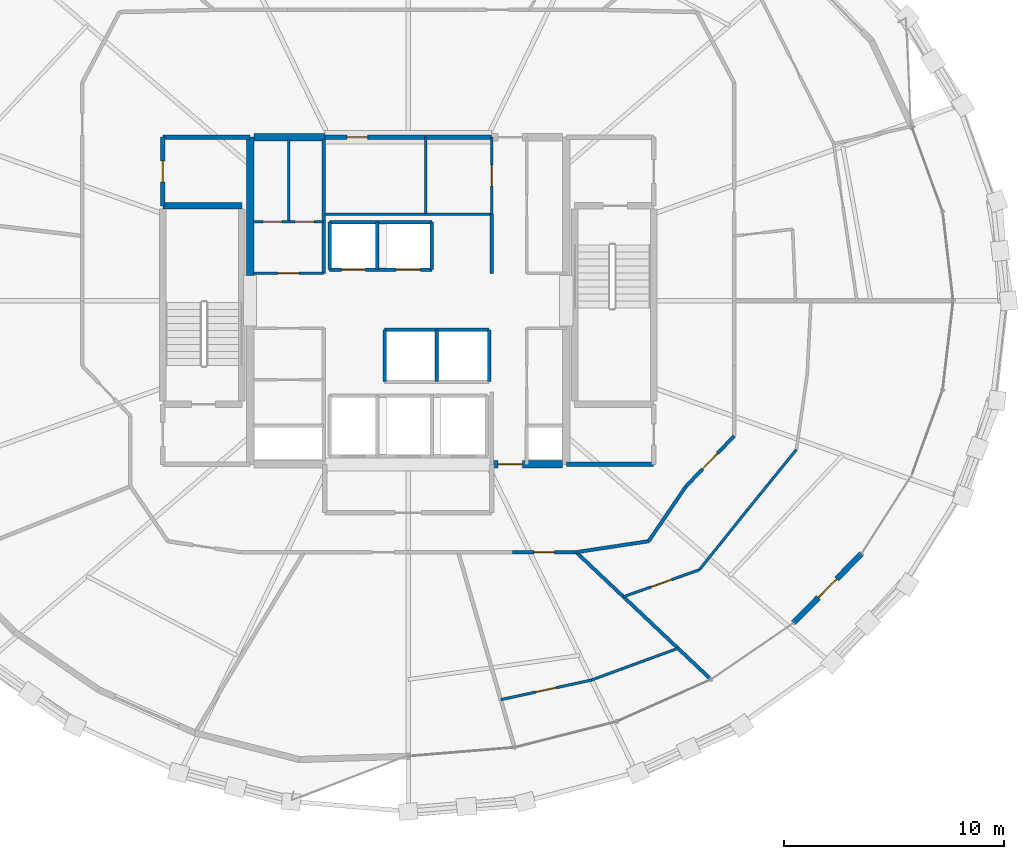
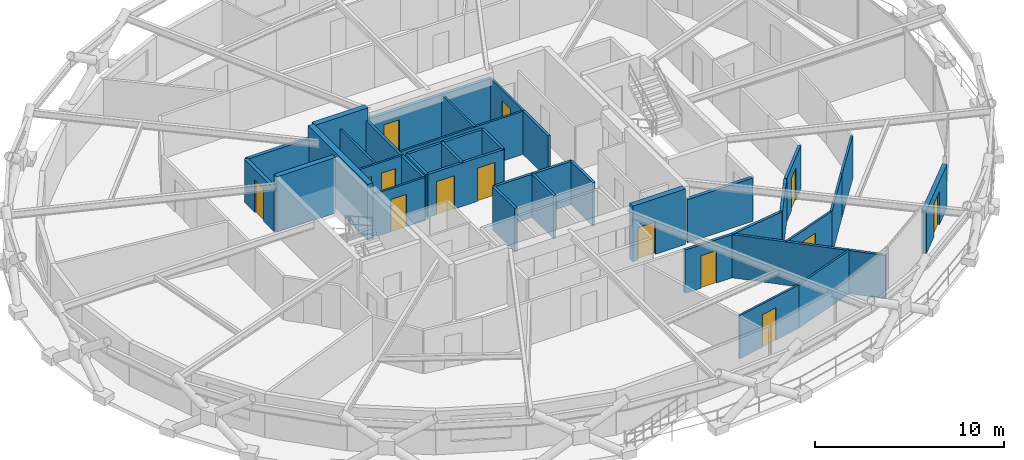
# One storey, part 13 of 16: 36 walls, 14 doors, 14 openings.
"""IFC4 building model written with IfcOpenShell, lengths in metres."""

import ifcopenshell
import ifcopenshell.guid

model = None  # the IFC model being written
_history = None  # IfcOwnerHistory: only IFC2X3 demands one
_inside = {}  # id of a spatial element -> (the spatial element, [elements in it])
_under = {}  # id of a project, library or spatial element -> (it, [spatial elements below it])
_declared = {}  # id of a project -> (the project, [libraries it declares])
_typed = {}  # id of a type object -> (the type object, [elements of that type])
_made_of = {}  # id of a material, layer set ... -> (it, [elements and type objects made of it])


def new_model(schema):
    """Start an empty IFC model of exactly this schema.

    Asked for "IFC4X3", IfcOpenShell would pick the latest addendum, in which some entities
    have other attributes; the version numbers below select the first issue.
    IFC2X3 requires an IfcOwnerHistory on every rooted entity: one is made here for all.
    """
    global model, _history
    if schema == "IFC4X3":
        model = ifcopenshell.file(schema_version=(4, 3, 0, 0))
    else:
        model = ifcopenshell.file(schema=schema)
    _inside.clear()
    _under.clear()
    _declared.clear()
    _typed.clear()
    _made_of.clear()
    _history = None
    if model.schema == "IFC2X3":
        org = make("IfcOrganization", Name="unknown")
        user = make(
            "IfcPersonAndOrganization",
            ThePerson=make("IfcPerson", FamilyName="unknown"),
            TheOrganization=org,
        )
        app = make(
            "IfcApplication",
            ApplicationDeveloper=org,
            Version="unknown",
            ApplicationFullName="unknown",
            ApplicationIdentifier="unknown",
        )
        _history = make(
            "IfcOwnerHistory",
            OwningUser=user,
            OwningApplication=app,
            ChangeAction="ADDED",
            CreationDate=0,
        )
    return model


def make(cls, **values):
    """One entity of the class cls with the attributes given. An attribute that is None is left unset."""
    return model.create_entity(
        cls, **{name: value for name, value in values.items() if value is not None}
    )


def rooted(cls, **values):
    """An entity with a GlobalId (a new one), such as an element, a storey or a relation."""
    return make(cls, GlobalId=ifcopenshell.guid.new(), OwnerHistory=_history, **values)


def si_unit(unit_type, name, prefix=None):
    """IfcSIUnit, for example si_unit("LENGTHUNIT", "METRE", prefix="MILLI")."""
    return make("IfcSIUnit", UnitType=unit_type, Prefix=prefix, Name=name)


def assignment(units):
    """IfcUnitAssignment: the units of a project."""
    return None if units is None else make("IfcUnitAssignment", Units=units)


def point(xyz):
    """IfcCartesianPoint."""
    return None if xyz is None else make("IfcCartesianPoint", Coordinates=xyz)


def direction(xyz):
    """IfcDirection."""
    return None if xyz is None else make("IfcDirection", DirectionRatios=xyz)


def frame(location, z_axis=None, x_axis=None):
    """IfcAxis2Placement3D, a coordinate frame: its origin and axes. An axis left out is left unset."""
    return make(
        "IfcAxis2Placement3D",
        Location=point(location),
        Axis=direction(z_axis),
        RefDirection=direction(x_axis),
    )


def frame_2d(location, x_axis=None):
    """IfcAxis2Placement2D, a coordinate frame in the plane: its origin and x axis."""
    return make(
        "IfcAxis2Placement2D", Location=point(location), RefDirection=direction(x_axis)
    )


def origin():
    """The frame at (0, 0, 0) with its axes left unset."""
    return frame((0.0, 0.0, 0.0))


def place(relative_to, where):
    """IfcLocalPlacement: puts the frame where relative to a parent placement (None: the world)."""
    return make(
        "IfcLocalPlacement", PlacementRelTo=relative_to, RelativePlacement=where
    )


def context(
    kind, dimensions, precision=None, world=None, true_north=None, identifier=None
):
    """IfcGeometricRepresentationContext, for example the 3D "Model" context."""
    return make(
        "IfcGeometricRepresentationContext",
        ContextIdentifier=identifier,
        ContextType=kind,
        CoordinateSpaceDimension=dimensions,
        Precision=precision,
        WorldCoordinateSystem=world,
        TrueNorth=true_north,
    )


def subcontext(parent, identifier, kind, view, scale=None):
    """IfcGeometricRepresentationSubContext, for example "Body" below "Model"."""
    return make(
        "IfcGeometricRepresentationSubContext",
        ContextIdentifier=identifier,
        ContextType=kind,
        ParentContext=parent,
        TargetScale=scale,
        TargetView=view,
    )


def project(units=None, contexts=None):
    """IfcProject with its units and contexts."""
    return rooted(
        "IfcProject",
        Name="project",
        RepresentationContexts=contexts,
        UnitsInContext=assignment(units),
    )


def spatial(cls, under=None, at=None, **own):
    """A site, building, storey or space (cls), placed at a placement, below another one or the project."""
    s = rooted(cls, ObjectPlacement=at, **own)
    if under is not None:
        _under.setdefault(under.id(), (under, []))[1].append(s)
    return s


def profile(cls, at=None, kind="AREA", **sizes):
    """A parametric profile (cls). Its sizes go by their IFC names, for example OverallWidth=200.0."""
    return make(cls, ProfileType=kind, Position=at, **sizes)


def rectangle(**sizes):
    """IfcRectangleProfileDef."""
    return profile("IfcRectangleProfileDef", **sizes)


def extrude(swept, where, along, depth):
    """IfcExtrudedAreaSolid: the profile swept, set in the frame where, extruded along a direction by depth."""
    return make(
        "IfcExtrudedAreaSolid",
        SweptArea=swept,
        Position=where,
        ExtrudedDirection=direction(along),
        Depth=depth,
    )


def shape(context_of_items, identifier, shape_type, items):
    """IfcShapeRepresentation: the items that make up one representation, for example the "Body"."""
    return make(
        "IfcShapeRepresentation",
        ContextOfItems=context_of_items,
        RepresentationIdentifier=identifier,
        RepresentationType=shape_type,
        Items=items,
    )


def material(Name=None, Category=None):
    """IfcMaterial."""
    return make("IfcMaterial", Name=Name, Category=Category)


def layer(
    of_material, thickness, ventilated=None, Name=None, Category=None, Priority=None
):
    """IfcMaterialLayer: one layer of a wall or slab, of a material (None: an air gap)."""
    return make(
        "IfcMaterialLayer",
        Material=of_material,
        LayerThickness=thickness,
        IsVentilated=ventilated,
        Name=Name,
        Category=Category,
        Priority=Priority,
    )


def layer_set(layers, Name=None):
    """IfcMaterialLayerSet."""
    return make("IfcMaterialLayerSet", MaterialLayers=layers, LayerSetName=Name)


def made_of(thing, what):
    """Note that an element or type object is made of a material, layer set ...; save() writes the relation."""
    if what is not None:
        _made_of.setdefault(what.id(), (what, []))[1].append(thing)
    return thing


def type_object(cls, material=None, **own):
    """A type object (cls), such as IfcWallType, which elements share."""
    return made_of(rooted(cls, **own), material)


def element(
    cls,
    number,
    at=None,
    inside=None,
    cuts=None,
    type_object=None,
    material=None,
    context=None,
    identifier="Body",
    shape_type=None,
    held_by="IfcProductDefinitionShape",
    body=None,
    shapes=None,
    **own,
):
    """One element of the class cls, such as IfcWall. Its Tag is "e" and its number.

    at: its placement. inside: the storey or other place that contains it. cuts: it is an
    opening in that element (IfcRelVoidsElement). A single representation is given by context,
    identifier, shape_type and body (its items); several are given by shapes. held_by: the class
    of the entity that holds the representations. save() writes the other relations.
    """
    e = rooted(cls, Tag="e%d" % number, ObjectPlacement=at, **own)
    if body is not None:
        shapes = [shape(context, identifier, shape_type, body)]
    if shapes is not None:
        e.Representation = make(held_by, Representations=shapes)
    if inside is not None:
        _inside.setdefault(inside.id(), (inside, []))[1].append(e)
    if cuts is not None:
        rooted(
            "IfcRelVoidsElement", RelatingBuildingElement=cuts, RelatedOpeningElement=e
        )
    if type_object is not None:
        _typed.setdefault(type_object.id(), (type_object, []))[1].append(e)
    return made_of(e, material)


def fill(opening, filler):
    """IfcRelFillsElement: the door or window that sits in an opening."""
    return rooted(
        "IfcRelFillsElement",
        RelatingOpeningElement=opening,
        RelatedBuildingElement=filler,
    )


def aggregate(whole, parts):
    """IfcRelAggregates: a whole, such as a stair, and the parts it consists of."""
    return rooted("IfcRelAggregates", RelatingObject=whole, RelatedObjects=parts)


def save(model, path):
    """Write the relations noted so far, then the file.

    IfcRelAggregates (storeys below a building ...), IfcRelContainedInSpatialStructure (elements
    in a storey), IfcRelDefinesByType, IfcRelAssociatesMaterial and IfcRelDeclares: one each for
    every whole, place, type object, material and project.
    """
    for whole, parts in _under.values():
        aggregate(whole, parts)
    for where, things in _inside.values():
        rooted(
            "IfcRelContainedInSpatialStructure",
            RelatedElements=things,
            RelatingStructure=where,
        )
    for kind, things in _typed.values():
        rooted("IfcRelDefinesByType", RelatedObjects=things, RelatingType=kind)
    for what, things in _made_of.values():
        rooted("IfcRelAssociatesMaterial", RelatedObjects=things, RelatingMaterial=what)
    for by, libraries in _declared.values():
        rooted("IfcRelDeclares", RelatingContext=by, RelatedDefinitions=libraries)
    model.write(path)


model = new_model("IFC4")

# Units and contexts
model_context = context("Model", 3, precision=1e-05, world=origin(), true_north=direction((0.0, 1.0)))
body_context = subcontext(model_context, "Body", "Model", "MODEL_VIEW")
ifc_project = project(units=[si_unit("LENGTHUNIT", "METRE"), si_unit("AREAUNIT", "SQUARE_METRE"), si_unit("VOLUMEUNIT", "CUBIC_METRE"), si_unit("PLANEANGLEUNIT", "RADIAN"), si_unit("MASSUNIT", "GRAM", prefix="KILO")], contexts=[model_context])

# Site, building, storey
site_placement = place(None, origin())
site = spatial("IfcSite", under=ifc_project, at=site_placement, CompositionType="ELEMENT")
building_placement = place(site_placement, origin())
building = spatial("IfcBuilding", under=site, at=building_placement, Name="Veldorina Hangang Commons", CompositionType="ELEMENT")
storey_placement = place(building_placement, frame((0.0, 0.0, 185.60009765625)))
storey = spatial("IfcBuildingStorey", under=building, at=storey_placement, Name="L48", CompositionType="ELEMENT", Elevation=185.60009765625)

# Wall
ifc_material_1 = material(Name="Concrete C60/75", Category="concrete")
ifc_layer_1 = layer(ifc_material_1, 0.340087890625)
ifc_layer_set_1 = layer_set([ifc_layer_1], Name="Concrete C60/75")
wall_type_1 = type_object("IfcWallType", Name="CW-RC340-C60", PredefinedType="SHEAR", material=ifc_layer_set_1)
wall_1_placement = place(storey_placement, frame((24.800048828125, 25.14990234375, 0.0), z_axis=(0.0, 0.0, 1.0), x_axis=(0.0, 1.0, 0.0)))
element("IfcWall", 1, at=wall_1_placement, inside=storey, type_object=wall_type_1, Name="L48 W north core shear wall", PredefinedType="SHEAR", context=body_context, shape_type="SweptSolid", body=[
    extrude(rectangle(XDim=6.300048828125, YDim=0.340087890625, at=frame_2d((3.14990234375, 0.0))), origin(), (0.0, 0.0, 1.0), 3.599853515625),
])

# Wall, opening, door
wall_2_placement = place(storey_placement, frame((35.800048828125, 16.550048828125, 0.0), z_axis=(0.0, 0.0, 1.0), x_axis=(1.0, 0.0, 0.0)))
wall_2 = element("IfcWall", 2, at=wall_2_placement, inside=storey, type_object=wall_type_1, Name="L48 south-east core shear wall", PredefinedType="SHEAR", context=body_context, shape_type="SweptSolid", body=[
    extrude(rectangle(XDim=3.22998046875, YDim=0.340087890625, at=frame_2d((1.614990234375, 0.0))), origin(), (0.0, 0.0, 1.0), 3.599853515625),
])
opening_1_placement = place(wall_2_placement, frame((0.300048828125, 0.0, 0.0)))
opening_1 = element("IfcOpeningElement", 3, at=opening_1_placement, cuts=wall_2, Name="Opening D-08", PredefinedType="OPENING", context=body_context, shape_type="SweptSolid", body=[
    extrude(rectangle(XDim=1.10009765625, YDim=2.10009765625, at=frame_2d((0.550048828125, 1.050048828125))), frame((0.0, 0.18017578125, 0.0), z_axis=(0.0, -1.0, 0.0), x_axis=(1.0, 0.0, 0.0)), (0.0, 0.0, 1.0), 0.360107421875),
])
ifc_material_2 = material(Name="Steel Fire-Rated Smoke Seal", Category="steel")
door_type_1 = type_object("IfcDoorType", Name="DR-FIRE-1100", OperationType="SINGLE_SWING_RIGHT", PredefinedType="DOOR", material=ifc_material_2)
door_1_placement = place(opening_1_placement, origin())
door_1 = element("IfcDoor", 4, at=door_1_placement, inside=storey, type_object=door_type_1, Name="L48 central lift lobby south corridor door", OperationType="SINGLE_SWING_RIGHT", OverallHeight=2.10009765625, OverallWidth=1.10009765625, PredefinedType="DOOR", context=body_context, shape_type="SweptSolid", body=[
    extrude(rectangle(XDim=1.10009765625, YDim=2.10009765625, at=frame_2d((0.550048828125, 1.050048828125))), frame((0.0, 0.02490234375, 0.0), z_axis=(0.0, -1.0, 0.0), x_axis=(1.0, 0.0, 0.0)), (0.0, 0.0, 1.0), 0.050048828125),
])
fill(opening_1, door_1)

# Wall
wall_3_placement = place(storey_placement, frame((24.969970703125, 31.449951171875, 0.0), z_axis=(0.0, 0.0, 1.0), x_axis=(1.0, 0.0, 0.0)))
element("IfcWall", 5, at=wall_3_placement, inside=storey, type_object=wall_type_1, Name="L48 north-west core shear wall", PredefinedType="SHEAR", context=body_context, shape_type="SweptSolid", body=[
    extrude(rectangle(XDim=3.22998046875, YDim=0.340087890625, at=frame_2d((1.614990234375, 0.0))), origin(), (0.0, 0.0, 1.0), 3.599853515625),
])

# Wall, opening, door
ifc_material_3 = material(Name="Stone Roman Travertine", Category="masonry")
ifc_layer_2 = layer(ifc_material_3, 0.260009765625)
ifc_layer_set_2 = layer_set([ifc_layer_2], Name="Stone Roman Travertine")
wall_type_2 = type_object("IfcWallType", Name="EW-LOGGIA-260", PredefinedType="STANDARD", material=ifc_layer_set_2)
wall_4_placement = place(storey_placement, frame((49.552734375, 9.33203125, 0.0), z_axis=(0.0, 0.0, 1.0), x_axis=(0.700677794734, 0.713477839857, 0.0)))
wall_4 = element("IfcWall", 6, at=wall_4_placement, inside=storey, type_object=wall_type_2, Name="L48 sky-garden loggia portal wall 28", PredefinedType="STANDARD", context=body_context, shape_type="SweptSolid", body=[
    extrude(rectangle(XDim=4.406005859375, YDim=0.260009765625, at=frame_2d((2.203125, 0.0))), origin(), (0.0, 0.0, 1.0), 2.81982421875),
])
opening_2_placement = place(wall_4_placement, frame((1.602783203125, 0.0, 0.0)))
opening_2 = element("IfcOpeningElement", 7, at=opening_2_placement, cuts=wall_4, Name="Opening BD-1200", PredefinedType="OPENING", context=body_context, shape_type="SweptSolid", body=[
    extrude(rectangle(XDim=1.199951171875, YDim=2.14990234375, at=frame_2d((0.60009765625, 1.074951171875))), frame((0.0, 0.14013671875, 0.0), z_axis=(0.0, -1.0, 0.0), x_axis=(1.0, 0.0, 0.0)), (0.0, 0.0, 1.0), 0.280029296875),
])
ifc_material_4 = material(Name="Glass Thermal Aluminium Frame", Category="aluminium")
door_type_2 = type_object("IfcDoorType", Name="DR-EXT-LOG1200", OperationType="SINGLE_SWING_LEFT", PredefinedType="DOOR", material=ifc_material_4)
door_2_placement = place(opening_2_placement, origin())
door_2 = element("IfcDoor", 8, at=door_2_placement, inside=storey, type_object=door_type_2, Name="L48 loggia glazed exterior door 28", OperationType="SINGLE_SWING_LEFT", OverallHeight=2.14990234375, OverallWidth=1.199951171875, PredefinedType="DOOR", context=body_context, shape_type="SweptSolid", body=[
    extrude(rectangle(XDim=1.199951171875, YDim=2.14990234375, at=frame_2d((0.60009765625, 1.074951171875))), frame((0.0, 0.02490234375, 0.0), z_axis=(0.0, -1.0, 0.0), x_axis=(1.0, 0.0, 0.0)), (0.0, 0.0, 1.0), 0.050048828125),
])
fill(opening_2, door_2)

# Walls
ifc_material_5 = material(Name="Concrete C50/60", Category="concrete")
ifc_layer_3 = layer(ifc_material_5, 0.300048828125)
ifc_layer_set_3 = layer_set([ifc_layer_3], Name="Concrete C50/60")
wall_type_3 = type_object("IfcWallType", Name="SW-STAIR-300", PredefinedType="SHEAR", material=ifc_layer_set_3)
wall_5_placement = place(storey_placement, frame((20.820068359375, 28.320068359375, 0.0), z_axis=(0.0, 0.0, 1.0), x_axis=(1.0, 0.0, 0.0)))
element("IfcWall", 9, at=wall_5_placement, inside=storey, type_object=wall_type_3, Name="L48 ST1 north stair shear wall", PredefinedType="SHEAR", context=body_context, shape_type="SweptSolid", body=[
    extrude(rectangle(XDim=3.599853515625, YDim=0.300048828125, at=frame_2d((1.7998046875, 0.0))), origin(), (0.0, 0.0, 1.0), 3.599853515625),
])
ifc_material_6 = material(Name="Gypsum Fire-Rated Twin Stud Wall", Category="gypsum")
ifc_layer_4 = layer(ifc_material_6, 0.159912109375)
ifc_layer_set_4 = layer_set([ifc_layer_4], Name="Gypsum Fire-Rated Twin Stud Wall")
wall_type_4 = type_object("IfcWallType", Name="WL-FIRE-160", PredefinedType="SOLIDWALL", material=ifc_layer_set_4)
wall_6_placement = place(storey_placement, frame((35.800048828125, 25.25, 0.0), z_axis=(0.0, 0.0, 1.0), x_axis=(0.0, 1.0, 0.0)))
element("IfcWall", 10, at=wall_6_placement, inside=storey, type_object=wall_type_4, Name="L48 Lift passage NW lower wall 011", PredefinedType="SOLIDWALL", context=body_context, shape_type="SweptSolid", body=[
    extrude(rectangle(XDim=2.699951171875, YDim=0.159912109375, at=frame_2d((1.35009765625, 0.0))), origin(), (0.0, 0.0, 1.0), 2.7998046875),
])

# Wall, openings, doors
wall_7_placement = place(storey_placement, frame((28.419921875, 25.419921875, 0.0), z_axis=(0.0, 0.0, 1.0), x_axis=(1.0, 0.0, 0.0)))
wall_7 = element("IfcWall", 11, at=wall_7_placement, inside=storey, type_object=wall_type_4, Name="L48 Mid-high front shaft wall 015", PredefinedType="SOLIDWALL", context=body_context, shape_type="SweptSolid", body=[
    extrude(rectangle(XDim=4.66015625, YDim=0.159912109375, at=frame_2d((2.330078125, 0.0))), origin(), (0.0, 0.0, 1.0), 2.7998046875),
])
opening_3_placement = place(wall_7_placement, frame((0.530029296875, 0.0, 0.0)))
opening_3 = element("IfcOpeningElement", 12, at=opening_3_placement, cuts=wall_7, Name="Opening LD-01", PredefinedType="OPENING", context=body_context, shape_type="SweptSolid", body=[
    extrude(rectangle(XDim=1.10009765625, YDim=2.14990234375, at=frame_2d((0.550048828125, 1.074951171875))), frame((0.0, 0.08984375, 0.0), z_axis=(0.0, -1.0, 0.0), x_axis=(1.0, 0.0, 0.0)), (0.0, 0.0, 1.0), 0.179931640625),
])
opening_4_placement = place(wall_7_placement, frame((3.030029296875, 0.0, 0.0)))
opening_4 = element("IfcOpeningElement", 13, at=opening_4_placement, cuts=wall_7, Name="Opening LD-01", PredefinedType="OPENING", context=body_context, shape_type="SweptSolid", body=[
    extrude(rectangle(XDim=1.10009765625, YDim=2.14990234375, at=frame_2d((0.550048828125, 1.074951171875))), frame((0.0, 0.08984375, 0.0), z_axis=(0.0, -1.0, 0.0), x_axis=(1.0, 0.0, 0.0)), (0.0, 0.0, 1.0), 0.179931640625),
])
ifc_material_7 = material(Name="Stainless Steel Brushed Lift Door", Category="steel")
door_type_3 = type_object("IfcDoorType", Name="DR-LIFT-1100", OperationType="SLIDING_TO_LEFT", PredefinedType="DOOR", material=ifc_material_7)
door_3_placement = place(opening_3_placement, origin())
door_3 = element("IfcDoor", 14, at=door_3_placement, inside=storey, type_object=door_type_3, Name="L48 Lift PL-M1 landing door 006", OperationType="SLIDING_TO_RIGHT", OverallHeight=2.14990234375, OverallWidth=1.10009765625, PredefinedType="DOOR", context=body_context, shape_type="SweptSolid", body=[
    extrude(rectangle(XDim=1.10009765625, YDim=2.14990234375, at=frame_2d((0.550048828125, 1.074951171875))), frame((0.0, 0.02490234375, 0.0), z_axis=(0.0, -1.0, 0.0), x_axis=(1.0, 0.0, 0.0)), (0.0, 0.0, 1.0), 0.050048828125),
])
fill(opening_3, door_3)
door_4_placement = place(opening_4_placement, origin())
door_4 = element("IfcDoor", 15, at=door_4_placement, inside=storey, type_object=door_type_3, Name="L48 Lift PL-M2 landing door 007", OperationType="SLIDING_TO_RIGHT", OverallHeight=2.14990234375, OverallWidth=1.10009765625, PredefinedType="DOOR", context=body_context, shape_type="SweptSolid", body=[
    extrude(rectangle(XDim=1.10009765625, YDim=2.14990234375, at=frame_2d((0.550048828125, 1.074951171875))), frame((0.0, 0.02490234375, 0.0), z_axis=(0.0, -1.0, 0.0), x_axis=(1.0, 0.0, 0.0)), (0.0, 0.0, 1.0), 0.050048828125),
])
fill(opening_4, door_4)

# Walls
wall_8_placement = place(storey_placement, frame((28.419921875, 27.580078125, 0.0), z_axis=(0.0, 0.0, 1.0), x_axis=(1.0, 0.0, 0.0)))
element("IfcWall", 16, at=wall_8_placement, inside=storey, type_object=wall_type_4, Name="L48 Mid-high rear shaft wall 016", PredefinedType="SOLIDWALL", context=body_context, shape_type="SweptSolid", body=[
    extrude(rectangle(XDim=4.66015625, YDim=0.159912109375, at=frame_2d((2.330078125, 0.0))), origin(), (0.0, 0.0, 1.0), 2.7998046875),
])
for number, where, z_axis, x_axis, name in (
    (17, (28.419921875, 25.419921875, 0.0), (0.0, 0.0, 1.0), (0.0, 1.0, 0.0), "L48 PL-M1 west shaft wall 017"),
    (18, (30.580078125, 25.419921875, 0.0), (0.0, 0.0, 1.0), (0.0, 1.0, 0.0), "L48 PL-M1 east shaft wall 018"),
    (19, (33.080078125, 25.419921875, 0.0), (0.0, 0.0, 1.0), (0.0, 1.0, 0.0), "L48 PL-M2 east shaft wall 019"),
):
    element("IfcWall", number, at=place(storey_placement, frame(where, z_axis=z_axis, x_axis=x_axis)), inside=storey, type_object=wall_type_4, Name=name, PredefinedType="SOLIDWALL", context=body_context, shape_type="SweptSolid", body=[
        extrude(rectangle(XDim=2.16015625, YDim=0.159912109375, at=frame_2d((1.080078125, 0.0))), origin(), (0.0, 0.0, 1.0), 2.7998046875),
    ])
wall_9_placement = place(storey_placement, frame((30.919921875, 22.679931640625, 0.0), z_axis=(0.0, 0.0, 1.0), x_axis=(1.0, 0.0, 0.0)))
element("IfcWall", 20, at=wall_9_placement, inside=storey, type_object=wall_type_4, Name="L48 Shuttle-high front shaft wall 020", PredefinedType="SOLIDWALL", context=body_context, shape_type="SweptSolid", body=[
    extrude(rectangle(XDim=4.760009765625, YDim=0.159912109375, at=frame_2d((2.3798828125, 0.0))), origin(), (0.0, 0.0, 1.0), 2.7998046875),
])
for number, where, z_axis, x_axis, name in (
    (21, (30.919921875, 20.320068359375, 0.0), (0.0, 0.0, 1.0), (0.0, 1.0, 0.0), "L48 SL-1 west shaft wall 022"),
    (22, (33.300048828125, 20.320068359375, 0.0), (0.0, 0.0, 1.0), (0.0, 1.0, 0.0), "L48 SL-1 east shaft wall 023"),
    (23, (35.679931640625, 20.320068359375, 0.0), (0.0, 0.0, 1.0), (0.0, 1.0, 0.0), "L48 SL-2 east shaft wall 024"),
):
    element("IfcWall", number, at=place(storey_placement, frame(where, z_axis=z_axis, x_axis=x_axis)), inside=storey, type_object=wall_type_4, Name=name, PredefinedType="SOLIDWALL", context=body_context, shape_type="SweptSolid", body=[
        extrude(rectangle(XDim=2.35986328125, YDim=0.159912109375, at=frame_2d((1.179931640625, 0.0))), origin(), (0.0, 0.0, 1.0), 2.7998046875),
    ])
wall_10_placement = place(storey_placement, frame((28.14990234375, 25.25, 0.0), z_axis=(0.0, 0.0, 1.0), x_axis=(0.0, 1.0, 0.0)))
element("IfcWall", 24, at=wall_10_placement, inside=storey, type_object=wall_type_4, Name="L48 NW core inner wall 038", PredefinedType="SOLIDWALL", context=body_context, shape_type="SweptSolid", body=[
    extrude(rectangle(XDim=6.10009765625, YDim=0.159912109375, at=frame_2d((3.050048828125, 0.0))), origin(), (0.0, 0.0, 1.0), 2.7998046875),
])

# Wall, opening, door
wall_11_placement = place(storey_placement, frame((36.74267578125, 12.550048828125, 0.0), z_axis=(0.0, 0.0, 1.0), x_axis=(1.0, 0.0, 0.0)))
wall_11 = element("IfcWall", 25, at=wall_11_placement, inside=storey, type_object=wall_type_4, Name="L48 U-corridor outer wall 26 074", PredefinedType="SOLIDWALL", context=body_context, shape_type="SweptSolid", body=[
    extrude(rectangle(XDim=2.907958984375, YDim=0.159912109375, at=frame_2d((1.4541015625, 0.0))), origin(), (0.0, 0.0, 1.0), 2.7998046875),
])
opening_5_placement = place(wall_11_placement, frame((0.97900390625, 0.0, 0.0)))
opening_5 = element("IfcOpeningElement", 26, at=opening_5_placement, cuts=wall_11, Name="Opening D-02", PredefinedType="OPENING", context=body_context, shape_type="SweptSolid", body=[
    extrude(rectangle(XDim=0.949951171875, YDim=2.10009765625, at=frame_2d((0.47509765625, 1.050048828125))), frame((0.0, 0.08984375, 0.0), z_axis=(0.0, -1.0, 0.0), x_axis=(1.0, 0.0, 0.0)), (0.0, 0.0, 1.0), 0.179931640625),
])
ifc_material_8 = material(Name="Timber Solid Core Acoustic", Category="wood")
door_type_4 = type_object("IfcDoorType", Name="DR-INT-950", OperationType="SINGLE_SWING_LEFT", PredefinedType="DOOR", material=ifc_material_8)
door_5_placement = place(opening_5_placement, origin())
door_5 = element("IfcDoor", 27, at=door_5_placement, inside=storey, type_object=door_type_4, Name="L48 Linen drying store door 036", OperationType="SINGLE_SWING_RIGHT", OverallHeight=2.10009765625, OverallWidth=0.949951171875, PredefinedType="DOOR", context=body_context, shape_type="SweptSolid", body=[
    extrude(rectangle(XDim=0.949951171875, YDim=2.10009765625, at=frame_2d((0.47509765625, 1.050048828125))), frame((0.0, 0.02490234375, 0.0), z_axis=(0.0, -1.0, 0.0), x_axis=(1.0, 0.0, 0.0)), (0.0, 0.0, 1.0), 0.050048828125),
])
fill(opening_5, door_5)

# Walls
wall_12_placement = place(storey_placement, frame((39.650634765625, 12.550048828125, 0.0), z_axis=(0.0, 0.0, 1.0), x_axis=(0.988710906508, 0.149835721217, 0.0)))
element("IfcWall", 28, at=wall_12_placement, inside=storey, type_object=wall_type_4, Name="L48 U-corridor outer wall 27 075", PredefinedType="SOLIDWALL", context=body_context, shape_type="SweptSolid", body=[
    extrude(rectangle(XDim=3.3369140625, YDim=0.159912109375, at=frame_2d((1.66845703125, 0.0))), origin(), (0.0, 0.0, 1.0), 2.7998046875),
])
wall_13_placement = place(storey_placement, frame((42.949951171875, 13.050048828125, 0.0), z_axis=(0.0, 0.0, 1.0), x_axis=(0.562674669208, 0.826678423955, 0.0)))
element("IfcWall", 29, at=wall_13_placement, inside=storey, type_object=wall_type_4, Name="L48 U-corridor outer wall 28 076", PredefinedType="SOLIDWALL", context=body_context, shape_type="SweptSolid", body=[
    extrude(rectangle(XDim=3.021240234375, YDim=0.159912109375, at=frame_2d((1.5107421875, 0.0))), origin(), (0.0, 0.0, 1.0), 2.7998046875),
])

# Wall, opening, door
wall_14_placement = place(storey_placement, frame((44.64990234375, 15.547607421875, 0.0), z_axis=(0.0, 0.0, 1.0), x_axis=(0.691055487108, 0.722801711216, 0.0)))
wall_14 = element("IfcWall", 30, at=wall_14_placement, inside=storey, type_object=wall_type_4, Name="L48 U-corridor outer wall 29 077", PredefinedType="SOLIDWALL", context=body_context, shape_type="SweptSolid", body=[
    extrude(rectangle(XDim=3.183837890625, YDim=0.159912109375, at=frame_2d((1.591796875, 0.0))), origin(), (0.0, 0.0, 1.0), 2.7998046875),
])
opening_6_placement = place(wall_14_placement, frame((1.091796875, 0.0, 0.0)))
opening_6 = element("IfcOpeningElement", 31, at=opening_6_placement, cuts=wall_14, Name="Opening D-05", PredefinedType="OPENING", context=body_context, shape_type="SweptSolid", body=[
    extrude(rectangle(XDim=1.0, YDim=2.10009765625, at=frame_2d((0.5, 1.050048828125))), frame((0.0, 0.08984375, 0.0), z_axis=(0.0, -1.0, 0.0), x_axis=(1.0, 0.0, 0.0)), (0.0, 0.0, 1.0), 0.179931640625),
])
door_type_5 = type_object("IfcDoorType", Name="DR-INT-1000", OperationType="SINGLE_SWING_RIGHT", PredefinedType="DOOR", material=ifc_material_8)
door_6_placement = place(opening_6_placement, origin())
door_6 = element("IfcDoor", 32, at=door_6_placement, inside=storey, type_object=door_type_5, Name="L48 Commons alcove door 020", OperationType="SINGLE_SWING_RIGHT", OverallHeight=2.10009765625, OverallWidth=1.0, PredefinedType="DOOR", context=body_context, shape_type="SweptSolid", body=[
    extrude(rectangle(XDim=1.0, YDim=2.10009765625, at=frame_2d((0.5, 1.050048828125))), frame((0.0, 0.02490234375, 0.0), z_axis=(0.0, -1.0, 0.0), x_axis=(1.0, 0.0, 0.0)), (0.0, 0.0, 1.0), 0.050048828125),
])
fill(opening_6, door_6)

# Wall
wall_15_placement = place(storey_placement, frame((39.650634765625, 12.550048828125, 0.0), z_axis=(0.0, 0.0, 1.0), x_axis=(0.727100249426, -0.686531301024, 0.0)))
element("IfcWall", 33, at=wall_15_placement, inside=storey, type_object=wall_type_4, Name="L48 Unit party wall 27 080", PredefinedType="SOLIDWALL", context=body_context, shape_type="SweptSolid", body=[
    extrude(rectangle(XDim=8.39501953125, YDim=0.159912109375, at=frame_2d((4.197509765625, 0.0))), origin(), (0.0, 0.0, 1.0), 2.7998046875),
])

# Wall, opening, door
ifc_material_9 = material(Name="Concrete Blockwork Fire Wall C30/37", Category="masonry")
ifc_layer_5 = layer(ifc_material_9, 0.199951171875)
ifc_layer_set_5 = layer_set([ifc_layer_5], Name="Concrete Blockwork Fire Wall C30/37")
wall_type_5 = type_object("IfcWallType", Name="WL-FIRE-200", PredefinedType="SOLIDWALL", material=ifc_layer_set_5)
wall_16_placement = place(storey_placement, frame((20.820068359375, 28.320068359375, 0.0), z_axis=(0.0, 0.0, 1.0), x_axis=(0.0, 1.0, 0.0)))
wall_16 = element("IfcWall", 34, at=wall_16_placement, inside=storey, type_object=wall_type_5, Name="L48 NW core room outer wall 005", PredefinedType="SOLIDWALL", context=body_context, shape_type="SweptSolid", body=[
    extrude(rectangle(XDim=3.1298828125, YDim=0.199951171875, at=frame_2d((1.56494140625, 0.0))), origin(), (0.0, 0.0, 1.0), 2.7998046875),
])
opening_7_placement = place(wall_16_placement, frame((1.090087890625, 0.0, 0.0)))
opening_7 = element("IfcOpeningElement", 35, at=opening_7_placement, cuts=wall_16, Name="Opening D-04", PredefinedType="OPENING", context=body_context, shape_type="SweptSolid", body=[
    extrude(rectangle(XDim=0.949951171875, YDim=2.10009765625, at=frame_2d((0.47509765625, 1.050048828125))), frame((0.0, 0.10986328125, 0.0), z_axis=(0.0, -1.0, 0.0), x_axis=(1.0, 0.0, 0.0)), (0.0, 0.0, 1.0), 0.219970703125),
])
ifc_material_10 = material(Name="Timber Accessible Flush Leaf", Category="wood")
door_type_6 = type_object("IfcDoorType", Name="DR-ACC-950", OperationType="SINGLE_SWING_LEFT", PredefinedType="DOOR", material=ifc_material_10)
door_7_placement = place(opening_7_placement, origin())
door_7 = element("IfcDoor", 36, at=door_7_placement, inside=storey, type_object=door_type_6, Name="L48 NW core WC door 003", OperationType="SINGLE_SWING_LEFT", OverallHeight=2.10009765625, OverallWidth=0.949951171875, PredefinedType="DOOR", context=body_context, shape_type="SweptSolid", body=[
    extrude(rectangle(XDim=0.949951171875, YDim=2.10009765625, at=frame_2d((0.47509765625, 1.050048828125))), frame((0.0, 0.02490234375, 0.0), z_axis=(0.0, -1.0, 0.0), x_axis=(1.0, 0.0, 0.0)), (0.0, 0.0, 1.0), 0.050048828125),
])
fill(opening_7, door_7)

# Walls
for number, where, z_axis, x_axis, name in (
    (37, (20.820068359375, 31.449951171875, 0.0), (0.0, 0.0, 1.0), (1.0, 0.0, 0.0), "L48 NW core room north wall 006"),
    (38, (39.199951171875, 16.550048828125, 0.0), (0.0, 0.0, 1.0), (1.0, 0.0, 0.0), "L48 SE core room south wall 008"),
):
    element("IfcWall", number, at=place(storey_placement, frame(where, z_axis=z_axis, x_axis=x_axis)), inside=storey, type_object=wall_type_5, Name=name, PredefinedType="SOLIDWALL", context=body_context, shape_type="SweptSolid", body=[
        extrude(rectangle(XDim=3.97998046875, YDim=0.199951171875, at=frame_2d((1.989990234375, 0.0))), origin(), (0.0, 0.0, 1.0), 2.7998046875),
    ])

# Wall, opening, door
wall_17_placement = place(storey_placement, frame((28.199951171875, 31.449951171875, 0.0), z_axis=(0.0, 0.0, 1.0), x_axis=(1.0, 0.0, 0.0)))
wall_17 = element("IfcWall", 39, at=wall_17_placement, inside=storey, type_object=wall_type_5, Name="L48 Merged north core wall 031", PredefinedType="SOLIDWALL", context=body_context, shape_type="SweptSolid", body=[
    extrude(rectangle(XDim=7.60009765625, YDim=0.199951171875, at=frame_2d((3.800048828125, 0.0))), origin(), (0.0, 0.0, 1.0), 2.7998046875),
])
opening_8_placement = place(wall_17_placement, frame((1.0, 0.0, 0.0)))
opening_8 = element("IfcOpeningElement", 40, at=opening_8_placement, cuts=wall_17, Name="Opening D-02", PredefinedType="OPENING", context=body_context, shape_type="SweptSolid", body=[
    extrude(rectangle(XDim=0.949951171875, YDim=2.10009765625, at=frame_2d((0.47509765625, 1.050048828125))), frame((0.0, 0.10986328125, 0.0), z_axis=(0.0, -1.0, 0.0), x_axis=(1.0, 0.0, 0.0)), (0.0, 0.0, 1.0), 0.219970703125),
])
door_8_placement = place(opening_8_placement, origin())
door_8 = element("IfcDoor", 41, at=door_8_placement, inside=storey, type_object=door_type_4, Name="L48 Core study alcove door 011", OperationType="SINGLE_SWING_LEFT", OverallHeight=2.10009765625, OverallWidth=0.949951171875, PredefinedType="DOOR", context=body_context, shape_type="SweptSolid", body=[
    extrude(rectangle(XDim=0.949951171875, YDim=2.10009765625, at=frame_2d((0.47509765625, 1.050048828125))), frame((0.0, 0.02490234375, 0.0), z_axis=(0.0, -1.0, 0.0), x_axis=(1.0, 0.0, 0.0)), (0.0, 0.0, 1.0), 0.050048828125),
])
fill(opening_8, door_8)

# Wall
ifc_material_11 = material(Name="Gypsum Acoustic Stud Partition", Category="gypsum")
ifc_layer_6 = layer(ifc_material_11, 0.1201171875)
ifc_layer_set_6 = layer_set([ifc_layer_6], Name="Gypsum Acoustic Stud Partition")
wall_type_6 = type_object("IfcWallType", Name="WL-PART-120", PredefinedType="PARTITIONING", material=ifc_layer_set_6)
wall_18_placement = place(storey_placement, frame((28.199951171875, 27.949951171875, 0.0), z_axis=(0.0, 0.0, 1.0), x_axis=(1.0, 0.0, 0.0)))
element("IfcWall", 42, at=wall_18_placement, inside=storey, type_object=wall_type_6, Name="L48 Merged north south wall 032", PredefinedType="PARTITIONING", context=body_context, shape_type="SweptSolid", body=[
    extrude(rectangle(XDim=7.60009765625, YDim=0.1201171875, at=frame_2d((3.800048828125, 0.0))), origin(), (0.0, 0.0, 1.0), 2.7998046875),
])

# Wall, opening, door
wall_19_placement = place(storey_placement, frame((35.800048828125, 27.949951171875, 0.0), z_axis=(0.0, 0.0, 1.0), x_axis=(0.0, 1.0, 0.0)))
wall_19 = element("IfcWall", 43, at=wall_19_placement, inside=storey, type_object=wall_type_6, Name="L48 Merged north east wall 033", PredefinedType="PARTITIONING", context=body_context, shape_type="SweptSolid", body=[
    extrude(rectangle(XDim=3.5, YDim=0.1201171875, at=frame_2d((1.75, 0.0))), origin(), (0.0, 0.0, 1.0), 2.7998046875),
])
opening_9_placement = place(wall_19_placement, frame((1.27490234375, 0.0, 0.0)))
opening_9 = element("IfcOpeningElement", 44, at=opening_9_placement, cuts=wall_19, Name="Opening D-02", PredefinedType="OPENING", context=body_context, shape_type="SweptSolid", body=[
    extrude(rectangle(XDim=0.949951171875, YDim=2.10009765625, at=frame_2d((0.47509765625, 1.050048828125))), frame((0.0, 0.070068359375, 0.0), z_axis=(0.0, -1.0, 0.0), x_axis=(1.0, 0.0, 0.0)), (0.0, 0.0, 1.0), 0.14013671875),
])
door_9_placement = place(opening_9_placement, origin())
door_9 = element("IfcDoor", 45, at=door_9_placement, inside=storey, type_object=door_type_4, Name="L48 Core linen store door 012", OperationType="SINGLE_SWING_RIGHT", OverallHeight=2.10009765625, OverallWidth=0.949951171875, PredefinedType="DOOR", context=body_context, shape_type="SweptSolid", body=[
    extrude(rectangle(XDim=0.949951171875, YDim=2.10009765625, at=frame_2d((0.47509765625, 1.050048828125))), frame((0.0, 0.02490234375, 0.0), z_axis=(0.0, -1.0, 0.0), x_axis=(1.0, 0.0, 0.0)), (0.0, 0.0, 1.0), 0.050048828125),
])
fill(opening_9, door_9)

# Wall
wall_20_placement = place(storey_placement, frame((32.800048828125, 27.949951171875, 0.0), z_axis=(0.0, 0.0, 1.0), x_axis=(0.0, 1.0, 0.0)))
element("IfcWall", 46, at=wall_20_placement, inside=storey, type_object=wall_type_6, Name="L48 Merged north split wall 034", PredefinedType="PARTITIONING", context=body_context, shape_type="SweptSolid", body=[
    extrude(rectangle(XDim=3.5, YDim=0.1201171875, at=frame_2d((1.75, 0.0))), origin(), (0.0, 0.0, 1.0), 2.7998046875),
])

# Wall, opening, door
wall_21_placement = place(storey_placement, frame((24.949951171875, 25.25, 0.0), z_axis=(0.0, 0.0, 1.0), x_axis=(1.0, 0.0, 0.0)))
wall_21 = element("IfcWall", 47, at=wall_21_placement, inside=storey, type_object=wall_type_6, Name="L48 NW service south wall 039", PredefinedType="PARTITIONING", context=body_context, shape_type="SweptSolid", body=[
    extrude(rectangle(XDim=3.199951171875, YDim=0.1201171875, at=frame_2d((1.60009765625, 0.0))), origin(), (0.0, 0.0, 1.0), 2.7998046875),
])
opening_10_placement = place(wall_21_placement, frame((1.125, 0.0, 0.0)))
opening_10 = element("IfcOpeningElement", 48, at=opening_10_placement, cuts=wall_21, Name="Opening D-02", PredefinedType="OPENING", context=body_context, shape_type="SweptSolid", body=[
    extrude(rectangle(XDim=0.949951171875, YDim=2.10009765625, at=frame_2d((0.47509765625, 1.050048828125))), frame((0.0, 0.070068359375, 0.0), z_axis=(0.0, -1.0, 0.0), x_axis=(1.0, 0.0, 0.0)), (0.0, 0.0, 1.0), 0.14013671875),
])
door_10_placement = place(opening_10_placement, origin())
door_10 = element("IfcDoor", 49, at=door_10_placement, inside=storey, type_object=door_type_4, Name="L48 Utility vestibule door 013", OperationType="SINGLE_SWING_LEFT", OverallHeight=2.10009765625, OverallWidth=0.949951171875, PredefinedType="DOOR", context=body_context, shape_type="SweptSolid", body=[
    extrude(rectangle(XDim=0.949951171875, YDim=2.10009765625, at=frame_2d((0.47509765625, 1.050048828125))), frame((0.0, 0.02490234375, 0.0), z_axis=(0.0, -1.0, 0.0), x_axis=(1.0, 0.0, 0.0)), (0.0, 0.0, 1.0), 0.050048828125),
])
fill(opening_10, door_10)

# Wall, openings, doors
wall_22_placement = place(storey_placement, frame((24.949951171875, 27.60009765625, 0.0), z_axis=(0.0, 0.0, 1.0), x_axis=(1.0, 0.0, 0.0)))
wall_22 = element("IfcWall", 50, at=wall_22_placement, inside=storey, type_object=wall_type_6, Name="L48 NW lower split 045", PredefinedType="PARTITIONING", context=body_context, shape_type="SweptSolid", body=[
    extrude(rectangle(XDim=3.199951171875, YDim=0.1201171875, at=frame_2d((1.60009765625, 0.0))), origin(), (0.0, 0.0, 1.0), 2.7998046875),
])
opening_11_placement = place(wall_22_placement, frame((0.43994140625, 0.0, 0.0)))
opening_11 = element("IfcOpeningElement", 51, at=opening_11_placement, cuts=wall_22, Name="Opening D-01", PredefinedType="OPENING", context=body_context, shape_type="SweptSolid", body=[
    extrude(rectangle(XDim=0.860107421875, YDim=2.10009765625, at=frame_2d((0.43017578125, 1.050048828125))), frame((0.0, 0.070068359375, 0.0), z_axis=(0.0, -1.0, 0.0), x_axis=(1.0, 0.0, 0.0)), (0.0, 0.0, 1.0), 0.14013671875),
])
opening_12_placement = place(wall_22_placement, frame((1.89990234375, 0.0, 0.0)))
opening_12 = element("IfcOpeningElement", 52, at=opening_12_placement, cuts=wall_22, Name="Opening D-01", PredefinedType="OPENING", context=body_context, shape_type="SweptSolid", body=[
    extrude(rectangle(XDim=0.860107421875, YDim=2.10009765625, at=frame_2d((0.43017578125, 1.050048828125))), frame((0.0, 0.070068359375, 0.0), z_axis=(0.0, -1.0, 0.0), x_axis=(1.0, 0.0, 0.0)), (0.0, 0.0, 1.0), 0.14013671875),
])
ifc_material_12 = material(Name="Timber Moisture-Resistant Core", Category="wood")
door_type_7 = type_object("IfcDoorType", Name="DR-WET-860", OperationType="SINGLE_SWING_LEFT", PredefinedType="DOOR", material=ifc_material_12)
door_11_placement = place(opening_11_placement, origin())
door_11 = element("IfcDoor", 53, at=door_11_placement, inside=storey, type_object=door_type_7, Name="L48 Store A door 014", OperationType="SINGLE_SWING_RIGHT", OverallHeight=2.10009765625, OverallWidth=0.860107421875, PredefinedType="DOOR", context=body_context, shape_type="SweptSolid", body=[
    extrude(rectangle(XDim=0.860107421875, YDim=2.10009765625, at=frame_2d((0.43017578125, 1.050048828125))), frame((0.0, 0.02490234375, 0.0), z_axis=(0.0, -1.0, 0.0), x_axis=(1.0, 0.0, 0.0)), (0.0, 0.0, 1.0), 0.050048828125),
])
fill(opening_11, door_11)
door_12_placement = place(opening_12_placement, origin())
door_12 = element("IfcDoor", 54, at=door_12_placement, inside=storey, type_object=door_type_7, Name="L48 Store B door 015", OperationType="SINGLE_SWING_LEFT", OverallHeight=2.10009765625, OverallWidth=0.860107421875, PredefinedType="DOOR", context=body_context, shape_type="SweptSolid", body=[
    extrude(rectangle(XDim=0.860107421875, YDim=2.10009765625, at=frame_2d((0.43017578125, 1.050048828125))), frame((0.0, 0.02490234375, 0.0), z_axis=(0.0, -1.0, 0.0), x_axis=(1.0, 0.0, 0.0)), (0.0, 0.0, 1.0), 0.050048828125),
])
fill(opening_12, door_12)

# Wall
wall_23_placement = place(storey_placement, frame((26.550048828125, 27.60009765625, 0.0), z_axis=(0.0, 0.0, 1.0), x_axis=(0.0, 1.0, 0.0)))
element("IfcWall", 55, at=wall_23_placement, inside=storey, type_object=wall_type_6, Name="L48 NW upper vertical split 046", PredefinedType="PARTITIONING", context=body_context, shape_type="SweptSolid", body=[
    extrude(rectangle(XDim=3.75, YDim=0.1201171875, at=frame_2d((1.875, 0.0))), origin(), (0.0, 0.0, 1.0), 2.7998046875),
])

# Wall, opening, door
wall_24_placement = place(storey_placement, frame((41.7998046875, 10.520751953125, 0.0), z_axis=(0.0, 0.0, 1.0), x_axis=(0.942439233955, 0.334377466798, 0.0)))
wall_24 = element("IfcWall", 56, at=wall_24_placement, inside=storey, type_object=wall_type_6, Name="L48 Lounge alcove split 0 081", PredefinedType="PARTITIONING", context=body_context, shape_type="SweptSolid", body=[
    extrude(rectangle(XDim=3.672607421875, YDim=0.1201171875, at=frame_2d((1.83642578125, 0.0))), origin(), (0.0, 0.0, 1.0), 2.7998046875),
])
opening_13_placement = place(wall_24_placement, frame((1.336181640625, 0.0, 0.0)))
opening_13 = element("IfcOpeningElement", 57, at=opening_13_placement, cuts=wall_24, Name="Opening D-05", PredefinedType="OPENING", context=body_context, shape_type="SweptSolid", body=[
    extrude(rectangle(XDim=1.0, YDim=2.10009765625, at=frame_2d((0.5, 1.050048828125))), frame((0.0, 0.070068359375, 0.0), z_axis=(0.0, -1.0, 0.0), x_axis=(1.0, 0.0, 0.0)), (0.0, 0.0, 1.0), 0.14013671875),
])
door_13_placement = place(opening_13_placement, origin())
door_13 = element("IfcDoor", 58, at=door_13_placement, inside=storey, type_object=door_type_5, Name="L48 Commons lounge door 021", OperationType="SINGLE_SWING_LEFT", OverallHeight=2.10009765625, OverallWidth=1.0, PredefinedType="DOOR", context=body_context, shape_type="SweptSolid", body=[
    extrude(rectangle(XDim=1.0, YDim=2.10009765625, at=frame_2d((0.5, 1.050048828125))), frame((0.0, 0.02490234375, 0.0), z_axis=(0.0, -1.0, 0.0), x_axis=(1.0, 0.0, 0.0)), (0.0, 0.0, 1.0), 0.050048828125),
])
fill(opening_13, door_13)

# Walls
wall_25_placement = place(storey_placement, frame((45.260986328125, 11.748779296875, 0.0), z_axis=(0.0, 0.0, 1.0), x_axis=(0.625853878004, 0.779940333223, 0.0)))
element("IfcWall", 59, at=wall_25_placement, inside=storey, type_object=wall_type_6, Name="L48 Lounge alcove split 1 082", PredefinedType="PARTITIONING", context=body_context, shape_type="SweptSolid", body=[
    extrude(rectangle(XDim=3.4921875, YDim=0.1201171875, at=frame_2d((1.74609375, 0.0))), origin(), (0.0, 0.0, 1.0), 2.7998046875),
])
wall_26_placement = place(storey_placement, frame((47.446533203125, 14.472412109375, 0.0), z_axis=(0.0, 0.0, 1.0), x_axis=(0.630167081939, 0.776459560338, 0.0)))
element("IfcWall", 60, at=wall_26_placement, inside=storey, type_object=wall_type_6, Name="L48 Lounge alcove split 2 083", PredefinedType="PARTITIONING", context=body_context, shape_type="SweptSolid", body=[
    extrude(rectangle(XDim=3.54296875, YDim=0.1201171875, at=frame_2d((1.771484375, 0.0))), origin(), (0.0, 0.0, 1.0), 2.7998046875),
])

# Wall, opening, door
wall_27_placement = place(storey_placement, frame((36.21484375, 5.83251953125, 0.0), z_axis=(0.0, 0.0, 1.0), x_axis=(0.977391204778, 0.211438957673, 0.0)))
wall_27 = element("IfcWall", 61, at=wall_27_placement, inside=storey, type_object=wall_type_6, Name="L48 Laundry split 0 107", PredefinedType="PARTITIONING", context=body_context, shape_type="SweptSolid", body=[
    extrude(rectangle(XDim=4.215576171875, YDim=0.1201171875, at=frame_2d((2.10791015625, 0.0))), origin(), (0.0, 0.0, 1.0), 2.7998046875),
])
opening_14_placement = place(wall_27_placement, frame((1.6328125, 0.0, 0.0)))
opening_14 = element("IfcOpeningElement", 62, at=opening_14_placement, cuts=wall_27, Name="Opening D-02", PredefinedType="OPENING", context=body_context, shape_type="SweptSolid", body=[
    extrude(rectangle(XDim=0.949951171875, YDim=2.10009765625, at=frame_2d((0.47509765625, 1.050048828125))), frame((0.0, 0.070068359375, 0.0), z_axis=(0.0, -1.0, 0.0), x_axis=(1.0, 0.0, 0.0)), (0.0, 0.0, 1.0), 0.14013671875),
])
door_14_placement = place(opening_14_placement, origin())
door_14 = element("IfcDoor", 63, at=door_14_placement, inside=storey, type_object=door_type_4, Name="L48 Resident laundry inner door 037", OperationType="SINGLE_SWING_LEFT", OverallHeight=2.10009765625, OverallWidth=0.949951171875, PredefinedType="DOOR", context=body_context, shape_type="SweptSolid", body=[
    extrude(rectangle(XDim=0.949951171875, YDim=2.10009765625, at=frame_2d((0.47509765625, 1.050048828125))), frame((0.0, 0.02490234375, 0.0), z_axis=(0.0, -1.0, 0.0), x_axis=(1.0, 0.0, 0.0)), (0.0, 0.0, 1.0), 0.050048828125),
])
fill(opening_14, door_14)

# Wall
wall_28_placement = place(storey_placement, frame((40.335205078125, 6.723876953125, 0.0), z_axis=(0.0, 0.0, 1.0), x_axis=(0.939020571254, 0.343860970105, 0.0)))
element("IfcWall", 64, at=wall_28_placement, inside=storey, type_object=wall_type_6, Name="L48 Laundry split 1 108", PredefinedType="PARTITIONING", context=body_context, shape_type="SweptSolid", body=[
    extrude(rectangle(XDim=4.20947265625, YDim=0.1201171875, at=frame_2d((2.104736328125, 0.0))), origin(), (0.0, 0.0, 1.0), 2.7998046875),
])

save(model, "model.ifc")
